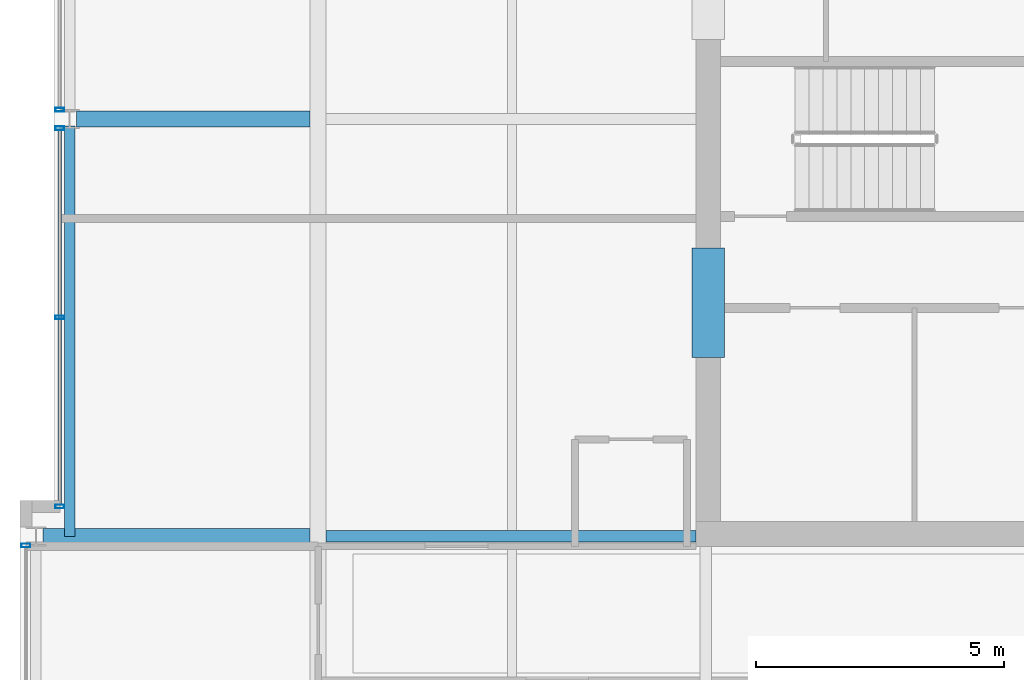
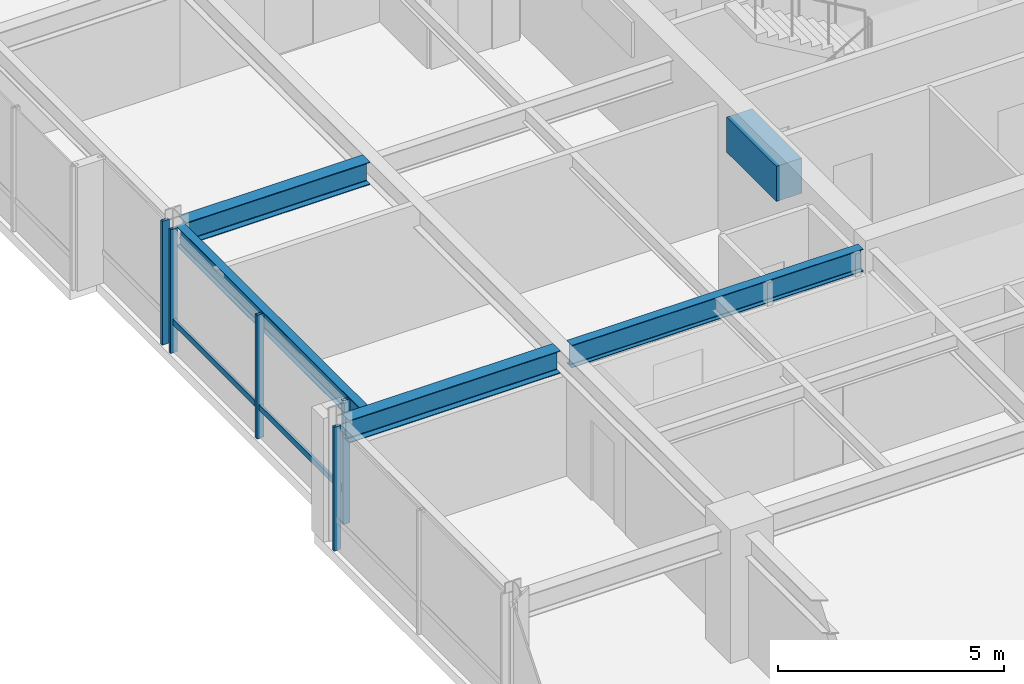
# One storey, part 9 of 32: 6 members, 5 beams, 3 elements without a shape of their own.
"""IFC4 building model written with IfcOpenShell, lengths in metres."""

from ifc_helpers import new_model, si_unit, direction, frame, origin, origin_2d, place, context, subcontext, project, spatial, rectangle, hollow_rectangle, i_section, extrude, material, layer, layer_set, material_profile, profile_set, type_object, element, aggregate, save


model = new_model("IFC4")

# Units and contexts
model_context = context("Model", 3, precision=1e-05, world=origin(), true_north=direction((0.0, 1.0)))
body_context = subcontext(model_context, "Body", "Model", "MODEL_VIEW")
ifc_project = project(units=[si_unit("LENGTHUNIT", "METRE"), si_unit("AREAUNIT", "SQUARE_METRE"), si_unit("VOLUMEUNIT", "CUBIC_METRE"), si_unit("PLANEANGLEUNIT", "RADIAN"), si_unit("MASSUNIT", "GRAM", prefix="KILO")], contexts=[model_context])

# Site, building, storey
site_placement = place(None, origin())
site = spatial("IfcSite", under=ifc_project, at=site_placement, CompositionType="ELEMENT")
building_placement = place(site_placement, origin())
building = spatial("IfcBuilding", under=site, at=building_placement, Name="Drelvath Grand Hotel", CompositionType="ELEMENT")
storey_placement = place(building_placement, frame((0.0, 0.0, 223.10009765625)))
storey = spatial("IfcBuildingStorey", under=building, at=storey_placement, Name="L58", CompositionType="ELEMENT", Elevation=223.10009765625)

# Beam
ifc_material_1 = material(Name="Concrete f'c 55 MPa", Category="concrete")
ifc_material_profile_1 = material_profile(ifc_material_1, rectangle(XDim=0.64990234375, YDim=0.949951171875, at=origin_2d()), Name="CB650X950")
ifc_profile_set_1 = profile_set([ifc_material_profile_1], Name="Concrete f'c 55 MPa")
beam_type_1 = type_object("IfcBeamType", Name="Core Coupling Lintel CB650X950", PredefinedType="LINTEL", material=ifc_profile_set_1)
beam_1_placement = place(storey_placement, frame((-8.35009765625, 22.199951171875, 2.864990234375), z_axis=(0.0, 1.0, 0.0), x_axis=(-1.0, 0.0, 0.0)))
element("IfcBeam", 1, at=beam_1_placement, inside=storey, type_object=beam_type_1, Name="L58 Core Coupling Lintel WS", PredefinedType="LINTEL", context=body_context, shape_type="SweptSolid", body=[
    extrude(rectangle(XDim=0.64990234375, YDim=0.949951171875, at=origin_2d()), origin(), (0.0, 0.0, 1.0), 2.199951171875),
])

# Curtain wall, member
ifc_material_2 = material(Name="Platinum-Mist Anodised Aluminium Frame", Category="aluminium")
ifc_layer = layer(ifc_material_2, 0.199951171875)
ifc_layer_set = layer_set([ifc_layer], Name="Platinum-Mist Anodised Aluminium Frame")
curtain_wall_type = type_object("IfcCurtainWallType", Name="Stick Curtain Wall CW-05 Platinum Mist High-Rise", PredefinedType="NOTDEFINED", material=ifc_layer_set)
curtain_wall_1_placement = place(storey_placement, origin())
curtain_wall_1 = element("IfcCurtainWall", 2, at=curtain_wall_1_placement, inside=storey, type_object=curtain_wall_type, Name="L58 CW-05 Curtain Wall CW05-L58-WM1", PredefinedType="NOTDEFINED")
ifc_material_profile_2 = material_profile(ifc_material_2, hollow_rectangle(XDim=0.06494140625, YDim=0.159912109375, WallThickness=0.00390625, at=origin_2d()), Name="HSS160X65X4")
ifc_profile_set_2 = profile_set([ifc_material_profile_2], Name="Platinum-Mist Anodised Aluminium Frame")
member_type_1 = type_object("IfcMemberType", Name="Curtain Wall Horizontal Transom CW-05 HSS160X65X4", PredefinedType="USERDEFINED", material=ifc_profile_set_2)
member_1_placement = place(storey_placement, frame((-21.39990234375, 19.239990234375, 0.8349609375), z_axis=(0.0, 1.0, 0.0), x_axis=(-1.0, 0.0, 0.0)))
member_1 = element("IfcMember", 3, at=member_1_placement, type_object=member_type_1, Name="CW05-L58-WM1 Sill Transom", ObjectType="TRANSOM", PredefinedType="USERDEFINED", context=body_context, shape_type="SweptSolid", body=[
    extrude(hollow_rectangle(XDim=0.06494140625, YDim=0.159912109375, WallThickness=0.00390625, at=origin_2d()), origin(), (0.0, 0.0, 1.0), 7.53466796875),
])

curtain_wall_2_placement = place(storey_placement, origin())
curtain_wall_2 = element("IfcCurtainWall", 4, at=curtain_wall_2_placement, inside=storey, type_object=curtain_wall_type, Name="L58 CW-05 Curtain Wall CW05-L58-WS2", PredefinedType="NOTDEFINED")
ifc_material_profile_3 = material_profile(ifc_material_2, hollow_rectangle(XDim=0.074951171875, YDim=0.179931640625, WallThickness=0.0048828125, at=origin_2d()), Name="HSS180X75X5")
ifc_profile_set_3 = profile_set([ifc_material_profile_3], Name="Platinum-Mist Anodised Aluminium Frame")
member_type_2 = type_object("IfcMemberType", Name="Curtain Wall Vertical Mullion CW-05 HSS180X75X5", PredefinedType="MULLION", material=ifc_profile_set_3)
member_2_placement = place(storey_placement, frame((-22.080078125, 18.414794921875, 0.0), z_axis=(0.0, 0.0, 1.0), x_axis=(0.0, 1.0, 0.0)))
member_2 = element("IfcMember", 5, at=member_2_placement, type_object=member_type_2, Name="CW05-L58-WS2 Mullion 3", PredefinedType="MULLION", context=body_context, shape_type="SweptSolid", body=[
    extrude(hollow_rectangle(XDim=0.074951171875, YDim=0.179931640625, WallThickness=0.0048828125, at=origin_2d()), origin(), (0.0, 0.0, 1.0), 3.33984375),
])
aggregate(curtain_wall_2, [member_2])

# Member
member_3_placement = place(storey_placement, frame((-21.39990234375, 19.199951171875, 0.0), z_axis=(0.0, 0.0, 1.0), x_axis=(0.0, 1.0, 0.0)))
member_3 = element("IfcMember", 6, at=member_3_placement, type_object=member_type_2, Name="CW05-L58-WM1 Mullion 1", PredefinedType="MULLION", context=body_context, shape_type="SweptSolid", body=[
    extrude(hollow_rectangle(XDim=0.074951171875, YDim=0.179931640625, WallThickness=0.0048828125, at=origin_2d()), origin(), (0.0, 0.0, 1.0), 3.33984375),
])

member_4_placement = place(storey_placement, frame((-21.39990234375, 23.00732421875, 0.0), z_axis=(0.0, 0.0, 1.0), x_axis=(0.0, 1.0, 0.0)))
member_4 = element("IfcMember", 7, at=member_4_placement, type_object=member_type_2, Name="CW05-L58-WM1 Mullion 2", PredefinedType="MULLION", context=body_context, shape_type="SweptSolid", body=[
    extrude(hollow_rectangle(XDim=0.074951171875, YDim=0.179931640625, WallThickness=0.0048828125, at=origin_2d()), origin(), (0.0, 0.0, 1.0), 3.33984375),
])

member_5_placement = place(storey_placement, frame((-21.39990234375, 26.814697265625, 0.0), z_axis=(0.0, 0.0, 1.0), x_axis=(0.0, 1.0, 0.0)))
member_5 = element("IfcMember", 8, at=member_5_placement, type_object=member_type_2, Name="CW05-L58-WM1 Mullion 3", PredefinedType="MULLION", context=body_context, shape_type="SweptSolid", body=[
    extrude(hollow_rectangle(XDim=0.074951171875, YDim=0.179931640625, WallThickness=0.0048828125, at=origin_2d()), origin(), (0.0, 0.0, 1.0), 3.33984375),
])

aggregate(curtain_wall_1, [member_3, member_4, member_5, member_1])

# Curtain wall, member
curtain_wall_3_placement = place(storey_placement, origin())
curtain_wall_3 = element("IfcCurtainWall", 9, at=curtain_wall_3_placement, inside=storey, type_object=curtain_wall_type, Name="L58 CW-05 Curtain Wall CW05-L58-WM2", PredefinedType="NOTDEFINED")
member_6_placement = place(storey_placement, frame((-21.39990234375, 27.185302734375, 0.0), z_axis=(0.0, 0.0, 1.0), x_axis=(0.0, 1.0, 0.0)))
member_6 = element("IfcMember", 10, at=member_6_placement, type_object=member_type_2, Name="CW05-L58-WM2 Mullion 1", PredefinedType="MULLION", context=body_context, shape_type="SweptSolid", body=[
    extrude(hollow_rectangle(XDim=0.074951171875, YDim=0.179931640625, WallThickness=0.0048828125, at=origin_2d()), origin(), (0.0, 0.0, 1.0), 3.33984375),
])
aggregate(curtain_wall_3, [member_6])

# Beams
ifc_material_3 = material(Name="Steel ASTM A992 Gr 50", Category="steel")
ifc_material_profile_4 = material_profile(ifc_material_3, i_section(OverallWidth=0.210205078125, OverallDepth=0.53662109375, WebThickness=0.010986328125, FlangeThickness=0.017333984375, FilletRadius=0.01806640625, at=origin_2d()), Name="W21X68")
ifc_profile_set_4 = profile_set([ifc_material_profile_4], Name="Steel ASTM A992 Gr 50")
beam_type_2 = type_object("IfcBeamType", Name="Perimeter Spandrel Beam W21X68", PredefinedType="SPANDREL", material=ifc_profile_set_4)
beam_2_placement = place(storey_placement, frame((-21.199951171875, 18.60009765625, 3.071533203125), z_axis=(0.0, 1.0, 0.0), x_axis=(-1.0, 0.0, 0.0)))
element("IfcBeam", 11, at=beam_2_placement, inside=storey, type_object=beam_type_2, Name="L58 Spandrel West Mid S", PredefinedType="SPANDREL", context=body_context, shape_type="SweptSolid", body=[
    extrude(i_section(OverallWidth=0.210205078125, OverallDepth=0.53662109375, WebThickness=0.010986328125, FlangeThickness=0.017333984375, FilletRadius=0.01806640625, at=origin_2d()), origin(), (0.0, 0.0, 1.0), 8.260009765625),
])
ifc_material_profile_5 = material_profile(ifc_material_3, i_section(OverallWidth=0.323974609375, OverallDepth=0.611083984375, WebThickness=0.0126953125, FlangeThickness=0.01904296875, FilletRadius=0.02197265625, at=origin_2d()), Name="W24X104")
ifc_profile_set_5 = profile_set([ifc_material_profile_5], Name="Steel ASTM A992 Gr 50")
beam_type_3 = type_object("IfcBeamType", Name="Primary Floor Girder W24X104", PredefinedType="BEAM", material=ifc_profile_set_5)
beam_3_placement = place(storey_placement, frame((-21.739990234375, 18.60009765625, 3.034423828125), z_axis=(1.0, 0.0, 0.0), x_axis=(0.0, 1.0, 0.0)))
element("IfcBeam", 12, at=beam_3_placement, inside=storey, type_object=beam_type_3, Name="L58 West Wing Girder D", PredefinedType="BEAM", context=body_context, shape_type="SweptSolid", body=[
    extrude(i_section(OverallWidth=0.323974609375, OverallDepth=0.611083984375, WebThickness=0.0126953125, FlangeThickness=0.01904296875, FilletRadius=0.02197265625, at=origin_2d()), origin(), (0.0, 0.0, 1.0), 5.3779296875),
])
beam_4_placement = place(storey_placement, frame((-21.06005859375, 27.0, 3.034423828125), z_axis=(1.0, 0.0, 0.0), x_axis=(0.0, 1.0, 0.0)))
element("IfcBeam", 13, at=beam_4_placement, inside=storey, type_object=beam_type_3, Name="L58 West Wing Girder E", PredefinedType="BEAM", context=body_context, shape_type="SweptSolid", body=[
    extrude(i_section(OverallWidth=0.323974609375, OverallDepth=0.611083984375, WebThickness=0.0126953125, FlangeThickness=0.01904296875, FilletRadius=0.02197265625, at=origin_2d()), origin(), (0.0, 0.0, 1.0), 4.697998046875),
])
ifc_material_profile_6 = material_profile(ifc_material_3, i_section(OverallWidth=0.228271484375, OverallDepth=0.607666015625, WebThickness=0.01123046875, FlangeThickness=0.017333984375, FilletRadius=0.02001953125, at=origin_2d()), Name="W24X76")
ifc_profile_set_6 = profile_set([ifc_material_profile_6], Name="Steel ASTM A992 Gr 50")
beam_type_4 = type_object("IfcBeamType", Name="Primary Floor Girder W24X76", PredefinedType="BEAM", material=ifc_profile_set_6)
beam_5_placement = place(storey_placement, frame((-16.0380859375, 18.60009765625, 3.0361328125), z_axis=(1.0, 0.0, 0.0), x_axis=(0.0, 1.0, 0.0)))
element("IfcBeam", 14, at=beam_5_placement, inside=storey, type_object=beam_type_4, Name="L58 West Core Tie D", PredefinedType="BEAM", context=body_context, shape_type="SweptSolid", body=[
    extrude(i_section(OverallWidth=0.228271484375, OverallDepth=0.607666015625, WebThickness=0.01123046875, FlangeThickness=0.017333984375, FilletRadius=0.02001953125, at=origin_2d()), origin(), (0.0, 0.0, 1.0), 7.43798828125),
])

save(model, "model.ifc")
